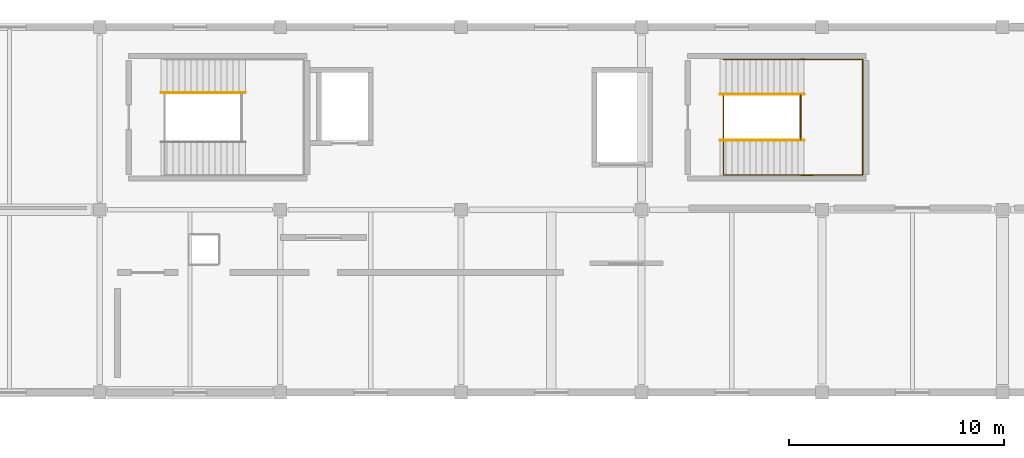
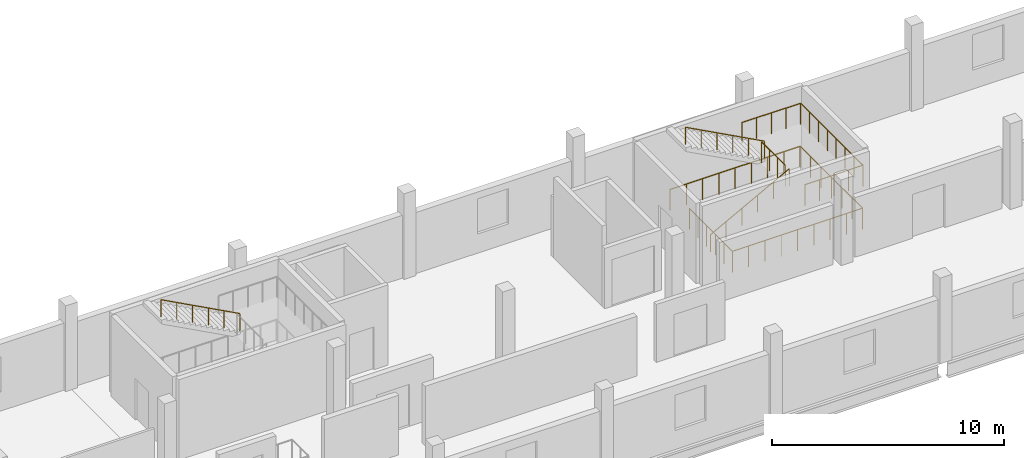
# One storey, part 50 of 50: 6 railings.
"""IFC4 building model written with IfcOpenShell, lengths in metres."""

from ifc_helpers import new_model, si_unit, direction, frame, origin, origin_2d, place, context, subcontext, project, spatial, circle, extrude, material, type_object, element, save


model = new_model("IFC4")

# Units and contexts
model_context = context("Model", 3, precision=1e-05, world=origin(), true_north=direction((0.0, 1.0)))
body_context = subcontext(model_context, "Body", "Model", "MODEL_VIEW")
ifc_project = project(units=[si_unit("LENGTHUNIT", "METRE"), si_unit("AREAUNIT", "SQUARE_METRE"), si_unit("VOLUMEUNIT", "CUBIC_METRE"), si_unit("PLANEANGLEUNIT", "RADIAN"), si_unit("MASSUNIT", "GRAM", prefix="KILO")], contexts=[model_context])

# Site, building, storey
site_placement = place(None, origin())
site = spatial("IfcSite", under=ifc_project, at=site_placement, CompositionType="ELEMENT")
building_placement = place(site_placement, origin())
building = spatial("IfcBuilding", under=site, at=building_placement, Name="Solvento Point Concert Hall", CompositionType="ELEMENT")
storey_placement = place(building_placement, frame((0.0, 0.0, 15.0)))
storey = spatial("IfcBuildingStorey", under=building, at=storey_placement, Name="L03", CompositionType="ELEMENT", Elevation=15.0)

# Railings
ifc_material_1 = material(Name="Brushed Stainless Steel Balustrade", Category="steel")
railing_type_1 = type_object("IfcRailingType", Name="StairHandrail_915", PredefinedType="HANDRAIL", material=ifc_material_1)
railing_1_placement = place(storey_placement, frame((173.570068359375, 132.949951171875, 2.39990234375)))
element("IfcRailing", 1, at=railing_1_placement, inside=storey, type_object=railing_type_1, Name="Stair handrail HR-01 ST-01 L03 F2", PredefinedType="HANDRAIL", context=body_context, shape_type="SweptSolid", body=[
    extrude(circle(Radius=0.0224609375, at=origin_2d()), frame((0.0, 0.0, 0.892578125), z_axis=(-0.881479153919, 0.0, 0.472222935917), x_axis=(0.0, -1.0, 0.0)), (0.0, 0.0, 1.0), 4.447265625),
    extrude(circle(Radius=0.01904296875, at=origin_2d()), origin(), (0.0, 0.0, 1.0), 0.8701171875),
    extrude(circle(Radius=0.01904296875, at=origin_2d()), frame((-0.783935546875, 0.0, 0.419921875)), (0.0, 0.0, 1.0), 0.8701171875),
    extrude(circle(Radius=0.01904296875, at=origin_2d()), frame((-1.568115234375, 0.0, 0.840087890625)), (0.0, 0.0, 1.0), 0.8701171875),
    extrude(circle(Radius=0.01904296875, at=origin_2d()), frame((-2.35205078125, 0.0, 1.260009765625)), (0.0, 0.0, 1.0), 0.8701171875),
    extrude(circle(Radius=0.01904296875, at=origin_2d()), frame((-3.13623046875, 0.0, 1.68017578125)), (0.0, 0.0, 1.0), 0.8701171875),
    extrude(circle(Radius=0.01904296875, at=origin_2d()), frame((-3.920166015625, 0.0, 2.10009765625)), (0.0, 0.0, 1.0), 0.8701171875),
])
railing_2_placement = place(storey_placement, frame((195.64990234375, 130.72998046875, 0.14990234375)))
element("IfcRailing", 2, at=railing_2_placement, inside=storey, type_object=railing_type_1, Name="Stair handrail HR-01 ST-02 L03 F1", PredefinedType="HANDRAIL", context=body_context, shape_type="SweptSolid", body=[
    extrude(circle(Radius=0.0224609375, at=origin_2d()), frame((0.0, 0.0, 0.892578125), z_axis=(0.881479153919, 0.0, 0.472222935917), x_axis=(0.0, 1.0, 0.0)), (0.0, 0.0, 1.0), 4.447265625),
    extrude(circle(Radius=0.01904296875, at=origin_2d()), origin(), (0.0, 0.0, 1.0), 0.8701171875),
    extrude(circle(Radius=0.01904296875, at=origin_2d()), frame((0.783935546875, 0.0, 0.419921875)), (0.0, 0.0, 1.0), 0.8701171875),
    extrude(circle(Radius=0.01904296875, at=origin_2d()), frame((1.568115234375, 0.0, 0.840087890625)), (0.0, 0.0, 1.0), 0.8701171875),
    extrude(circle(Radius=0.01904296875, at=origin_2d()), frame((2.35205078125, 0.0, 1.260009765625)), (0.0, 0.0, 1.0), 0.8701171875),
    extrude(circle(Radius=0.01904296875, at=origin_2d()), frame((3.13623046875, 0.0, 1.68017578125)), (0.0, 0.0, 1.0), 0.8701171875),
    extrude(circle(Radius=0.01904296875, at=origin_2d()), frame((3.920166015625, 0.0, 2.10009765625)), (0.0, 0.0, 1.0), 0.8701171875),
])
railing_3_placement = place(storey_placement, frame((199.570068359375, 132.8701171875, 2.39990234375)))
element("IfcRailing", 3, at=railing_3_placement, inside=storey, type_object=railing_type_1, Name="Stair handrail HR-01 ST-02 L03 F2", PredefinedType="HANDRAIL", context=body_context, shape_type="SweptSolid", body=[
    extrude(circle(Radius=0.0224609375, at=origin_2d()), frame((0.0, 0.0, 0.892578125), z_axis=(-0.881479153919, 0.0, 0.472222935917), x_axis=(0.0, -1.0, 0.0)), (0.0, 0.0, 1.0), 4.447265625),
    extrude(circle(Radius=0.01904296875, at=origin_2d()), origin(), (0.0, 0.0, 1.0), 0.8701171875),
    extrude(circle(Radius=0.01904296875, at=origin_2d()), frame((-0.783935546875, 0.0, 0.419921875)), (0.0, 0.0, 1.0), 0.8701171875),
    extrude(circle(Radius=0.01904296875, at=origin_2d()), frame((-1.568115234375, 0.0, 0.840087890625)), (0.0, 0.0, 1.0), 0.8701171875),
    extrude(circle(Radius=0.01904296875, at=origin_2d()), frame((-2.35205078125, 0.0, 1.260009765625)), (0.0, 0.0, 1.0), 0.8701171875),
    extrude(circle(Radius=0.01904296875, at=origin_2d()), frame((-3.13623046875, 0.0, 1.68017578125)), (0.0, 0.0, 1.0), 0.8701171875),
    extrude(circle(Radius=0.01904296875, at=origin_2d()), frame((-3.920166015625, 0.0, 2.10009765625)), (0.0, 0.0, 1.0), 0.8701171875),
])
ifc_material_2 = material(Name="Brushed Stainless Steel Balustrade", Category="steel")
railing_type_2 = type_object("IfcRailingType", Name="StairWellGuard_1100", PredefinedType="BALUSTRADE", material=ifc_material_2)
railing_4_placement = place(storey_placement, frame((195.820068359375, 132.820068359375, 0.0)))
element("IfcRailing", 4, at=railing_4_placement, inside=storey, type_object=railing_type_2, Name="Stairwell guard GR-02 ST-02 L03", PredefinedType="BALUSTRADE", context=body_context, shape_type="SweptSolid", body=[
    extrude(circle(Radius=0.02392578125, at=origin_2d()), frame((0.0, 0.0, 1.09619140625), z_axis=(0.0, -1.0, 0.0), x_axis=(1.0, 0.0, 0.0)), (0.0, 0.0, 1.0), 3.699951171875),
    extrude(circle(Radius=0.02392578125, at=origin_2d()), frame((0.0, -3.699951171875, 1.09619140625), z_axis=(1.0, 0.0, 0.0), x_axis=(0.0, 1.0, 0.0)), (0.0, 0.0, 1.0), 6.4599609375),
    extrude(circle(Radius=0.02392578125, at=origin_2d()), frame((6.4599609375, -3.699951171875, 1.09619140625), z_axis=(0.0, 1.0, 0.0), x_axis=(-1.0, 0.0, 0.0)), (0.0, 0.0, 1.0), 5.35986328125),
    extrude(circle(Radius=0.02392578125, at=origin_2d()), frame((6.4599609375, 1.659912109375, 1.09619140625), z_axis=(-1.0, 0.0, 0.0), x_axis=(0.0, -1.0, 0.0)), (0.0, 0.0, 1.0), 6.4599609375),
    extrude(circle(Radius=0.02392578125, at=origin_2d()), frame((0.0, 1.659912109375, 1.09619140625), z_axis=(0.0, 1.0, 0.0), x_axis=(-1.0, 0.0, 0.0)), (0.0, 0.0, 1.0), 0.02001953125),
    extrude(circle(Radius=0.02099609375, at=origin_2d()), origin(), (0.0, 0.0, 1.0), 1.072021484375),
    extrude(circle(Radius=0.02099609375, at=origin_2d()), frame((0.0, -0.739990234375, 0.0)), (0.0, 0.0, 1.0), 1.072021484375),
    extrude(circle(Radius=0.02099609375, at=origin_2d()), frame((0.0, -1.47998046875, 0.0)), (0.0, 0.0, 1.0), 1.072021484375),
    extrude(circle(Radius=0.02099609375, at=origin_2d()), frame((0.0, -2.219970703125, 0.0)), (0.0, 0.0, 1.0), 1.072021484375),
    extrude(circle(Radius=0.02099609375, at=origin_2d()), frame((0.0, -2.9599609375, 0.0)), (0.0, 0.0, 1.0), 1.072021484375),
    extrude(circle(Radius=0.02099609375, at=origin_2d()), frame((0.0, -3.699951171875, 0.0)), (0.0, 0.0, 1.0), 1.072021484375),
    extrude(circle(Radius=0.02099609375, at=origin_2d()), frame((0.8076171875, -3.699951171875, 0.0)), (0.0, 0.0, 1.0), 1.072021484375),
    extrude(circle(Radius=0.02099609375, at=origin_2d()), frame((1.614990234375, -3.699951171875, 0.0)), (0.0, 0.0, 1.0), 1.072021484375),
    extrude(circle(Radius=0.02099609375, at=origin_2d()), frame((2.42236328125, -3.699951171875, 0.0)), (0.0, 0.0, 1.0), 1.072021484375),
    extrude(circle(Radius=0.02099609375, at=origin_2d()), frame((3.22998046875, -3.699951171875, 0.0)), (0.0, 0.0, 1.0), 1.072021484375),
    extrude(circle(Radius=0.02099609375, at=origin_2d()), frame((4.03759765625, -3.699951171875, 0.0)), (0.0, 0.0, 1.0), 1.072021484375),
    extrude(circle(Radius=0.02099609375, at=origin_2d()), frame((4.844970703125, -3.699951171875, 0.0)), (0.0, 0.0, 1.0), 1.072021484375),
    extrude(circle(Radius=0.02099609375, at=origin_2d()), frame((5.65234375, -3.699951171875, 0.0)), (0.0, 0.0, 1.0), 1.072021484375),
    extrude(circle(Radius=0.02099609375, at=origin_2d()), frame((6.4599609375, -3.699951171875, 0.0)), (0.0, 0.0, 1.0), 1.072021484375),
    extrude(circle(Radius=0.02099609375, at=origin_2d()), frame((6.4599609375, -2.806640625, 0.0)), (0.0, 0.0, 1.0), 1.072021484375),
    extrude(circle(Radius=0.02099609375, at=origin_2d()), frame((6.4599609375, -1.913330078125, 0.0)), (0.0, 0.0, 1.0), 1.072021484375),
    extrude(circle(Radius=0.02099609375, at=origin_2d()), frame((6.4599609375, -1.02001953125, 0.0)), (0.0, 0.0, 1.0), 1.072021484375),
    extrude(circle(Radius=0.02099609375, at=origin_2d()), frame((6.4599609375, -0.126708984375, 0.0)), (0.0, 0.0, 1.0), 1.072021484375),
    extrude(circle(Radius=0.02099609375, at=origin_2d()), frame((6.4599609375, 0.7666015625, 0.0)), (0.0, 0.0, 1.0), 1.072021484375),
    extrude(circle(Radius=0.02099609375, at=origin_2d()), frame((6.4599609375, 1.659912109375, 0.0)), (0.0, 0.0, 1.0), 1.072021484375),
    extrude(circle(Radius=0.02099609375, at=origin_2d()), frame((5.65234375, 1.659912109375, 0.0)), (0.0, 0.0, 1.0), 1.072021484375),
    extrude(circle(Radius=0.02099609375, at=origin_2d()), frame((4.844970703125, 1.659912109375, 0.0)), (0.0, 0.0, 1.0), 1.072021484375),
    extrude(circle(Radius=0.02099609375, at=origin_2d()), frame((4.03759765625, 1.659912109375, 0.0)), (0.0, 0.0, 1.0), 1.072021484375),
    extrude(circle(Radius=0.02099609375, at=origin_2d()), frame((3.22998046875, 1.659912109375, 0.0)), (0.0, 0.0, 1.0), 1.072021484375),
    extrude(circle(Radius=0.02099609375, at=origin_2d()), frame((2.42236328125, 1.659912109375, 0.0)), (0.0, 0.0, 1.0), 1.072021484375),
    extrude(circle(Radius=0.02099609375, at=origin_2d()), frame((1.614990234375, 1.659912109375, 0.0)), (0.0, 0.0, 1.0), 1.072021484375),
    extrude(circle(Radius=0.02099609375, at=origin_2d()), frame((0.8076171875, 1.659912109375, 0.0)), (0.0, 0.0, 1.0), 1.072021484375),
    extrude(circle(Radius=0.02099609375, at=origin_2d()), frame((0.0, 1.659912109375, 0.0)), (0.0, 0.0, 1.0), 1.072021484375),
    extrude(circle(Radius=0.02099609375, at=origin_2d()), frame((0.0, 1.679931640625, 0.0)), (0.0, 0.0, 1.0), 1.072021484375),
])
railing_5_placement = place(storey_placement, frame((199.39990234375, 129.10009765625, 2.25)))
element("IfcRailing", 5, at=railing_5_placement, inside=storey, type_object=railing_type_2, Name="Half-landing perimeter guard GR-02 ST-02 L03", PredefinedType="BALUSTRADE", context=body_context, shape_type="SweptSolid", body=[
    extrude(circle(Radius=0.02392578125, at=origin_2d()), frame((0.0, 0.0, 1.09619140625), z_axis=(0.999976175575, 0.006902773499, 0.0), x_axis=(-0.006902773499, 0.999976175575, 0.0)), (0.0, 0.0, 1.0), 2.900146484375),
    extrude(circle(Radius=0.02392578125, at=origin_2d()), frame((2.900146484375, 0.02001953125, 1.09619140625), z_axis=(0.0, 1.0, 0.0), x_axis=(-1.0, 0.0, 0.0)), (0.0, 0.0, 1.0), 5.35986328125),
    extrude(circle(Radius=0.02392578125, at=origin_2d()), frame((2.900146484375, 5.3798828125, 1.09619140625), z_axis=(-0.999976175575, 0.006902773499, 0.0), x_axis=(-0.006902773499, -0.999976175575, 0.0)), (0.0, 0.0, 1.0), 2.900146484375),
    extrude(circle(Radius=0.02099609375, at=origin_2d()), origin(), (0.0, 0.0, 1.0), 1.072021484375),
    extrude(circle(Radius=0.02099609375, at=origin_2d()), frame((0.72509765625, 0.0048828125, 0.0)), (0.0, 0.0, 1.0), 1.072021484375),
    extrude(circle(Radius=0.02099609375, at=origin_2d()), frame((1.4501953125, 0.010009765625, 0.0)), (0.0, 0.0, 1.0), 1.072021484375),
    extrude(circle(Radius=0.02099609375, at=origin_2d()), frame((2.175048828125, 0.01513671875, 0.0)), (0.0, 0.0, 1.0), 1.072021484375),
    extrude(circle(Radius=0.02099609375, at=origin_2d()), frame((2.900146484375, 0.02001953125, 0.0)), (0.0, 0.0, 1.0), 1.072021484375),
    extrude(circle(Radius=0.02099609375, at=origin_2d()), frame((2.900146484375, 0.78564453125, 0.0)), (0.0, 0.0, 1.0), 1.072021484375),
    extrude(circle(Radius=0.02099609375, at=origin_2d()), frame((2.900146484375, 1.551513671875, 0.0)), (0.0, 0.0, 1.0), 1.072021484375),
    extrude(circle(Radius=0.02099609375, at=origin_2d()), frame((2.900146484375, 2.317138671875, 0.0)), (0.0, 0.0, 1.0), 1.072021484375),
    extrude(circle(Radius=0.02099609375, at=origin_2d()), frame((2.900146484375, 3.082763671875, 0.0)), (0.0, 0.0, 1.0), 1.072021484375),
    extrude(circle(Radius=0.02099609375, at=origin_2d()), frame((2.900146484375, 3.848388671875, 0.0)), (0.0, 0.0, 1.0), 1.072021484375),
    extrude(circle(Radius=0.02099609375, at=origin_2d()), frame((2.900146484375, 4.6142578125, 0.0)), (0.0, 0.0, 1.0), 1.072021484375),
    extrude(circle(Radius=0.02099609375, at=origin_2d()), frame((2.900146484375, 5.3798828125, 0.0)), (0.0, 0.0, 1.0), 1.072021484375),
    extrude(circle(Radius=0.02099609375, at=origin_2d()), frame((2.175048828125, 5.384765625, 0.0)), (0.0, 0.0, 1.0), 1.072021484375),
    extrude(circle(Radius=0.02099609375, at=origin_2d()), frame((1.4501953125, 5.389892578125, 0.0)), (0.0, 0.0, 1.0), 1.072021484375),
    extrude(circle(Radius=0.02099609375, at=origin_2d()), frame((0.72509765625, 5.39501953125, 0.0)), (0.0, 0.0, 1.0), 1.072021484375),
    extrude(circle(Radius=0.02099609375, at=origin_2d()), frame((0.0, 5.39990234375, 0.0)), (0.0, 0.0, 1.0), 1.072021484375),
])
railing_6_placement = place(storey_placement, frame((199.39990234375, 130.780029296875, 2.25)))
element("IfcRailing", 6, at=railing_6_placement, inside=storey, type_object=railing_type_2, Name="Half-landing slot guard GR-02 ST-02 L03", PredefinedType="BALUSTRADE", context=body_context, shape_type="SweptSolid", body=[
    extrude(circle(Radius=0.02392578125, at=origin_2d()), frame((0.0, 0.0, 1.09619140625), z_axis=(0.0, 1.0, 0.0), x_axis=(-1.0, 0.0, 0.0)), (0.0, 0.0, 1.0), 2.0400390625),
    extrude(circle(Radius=0.02099609375, at=origin_2d()), origin(), (0.0, 0.0, 1.0), 1.072021484375),
    extrude(circle(Radius=0.02099609375, at=origin_2d()), frame((0.0, 0.679931640625, 0.0)), (0.0, 0.0, 1.0), 1.072021484375),
    extrude(circle(Radius=0.02099609375, at=origin_2d()), frame((0.0, 1.360107421875, 0.0)), (0.0, 0.0, 1.0), 1.072021484375),
    extrude(circle(Radius=0.02099609375, at=origin_2d()), frame((0.0, 2.0400390625, 0.0)), (0.0, 0.0, 1.0), 1.072021484375),
])

save(model, "model.ifc")
